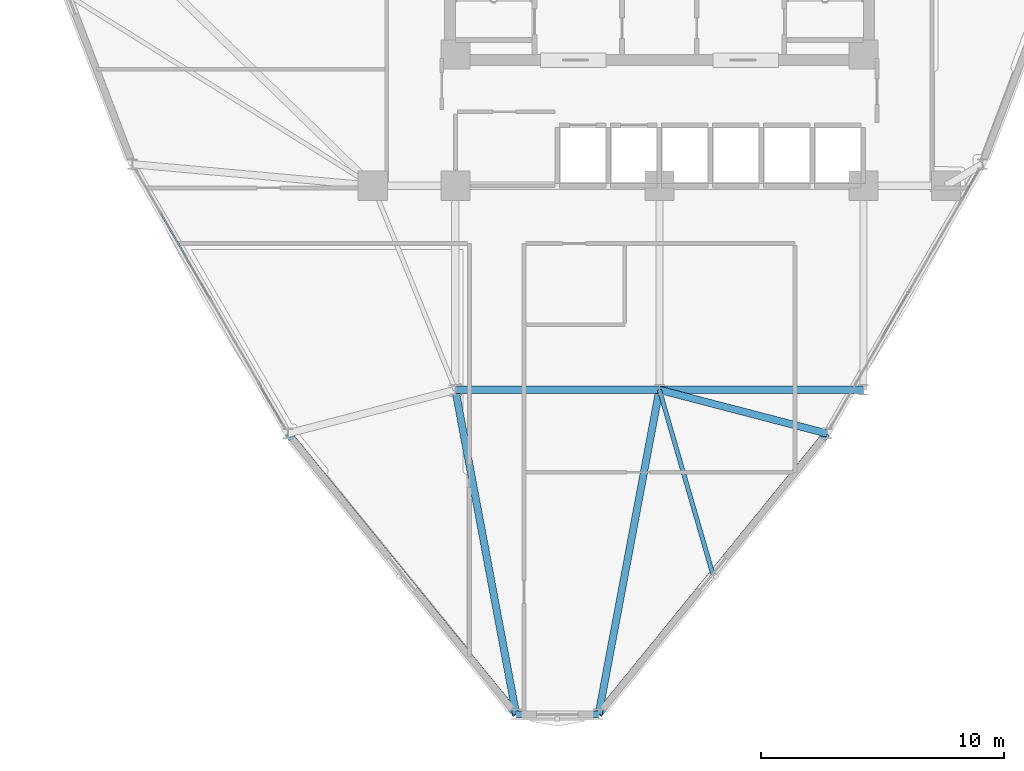
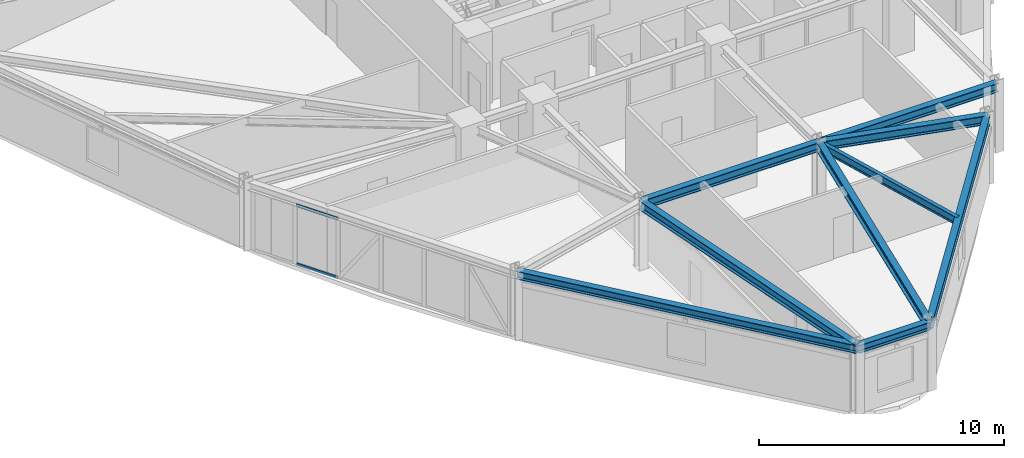
# One storey, part 3 of 15: 9 beams, 2 members, 1 element without a shape of its own.
"""IFC4 building model written with IfcOpenShell, lengths in metres."""

from ifc_helpers import new_model, si_unit, derived_unit, direction, frame, origin, origin_2d, place, context, subcontext, project, spatial, hollow_rectangle, i_section, extrude, source, transform, mapped, material, layer, layer_set, material_profile, profile_set, type_object, element, aggregate, save


model = new_model("IFC4")

# Units and contexts
model_context = context("Model", 3, precision=1e-05, world=origin(), true_north=direction((0.0, 1.0)))
body_context = subcontext(model_context, "Body", "Model", "MODEL_VIEW")
ifc_project = project(units=[si_unit("LENGTHUNIT", "METRE"), si_unit("AREAUNIT", "SQUARE_METRE"), si_unit("VOLUMEUNIT", "CUBIC_METRE"), si_unit("PLANEANGLEUNIT", "RADIAN"), si_unit("MASSUNIT", "GRAM", prefix="KILO"), derived_unit("THERMALTRANSMITTANCEUNIT", [(si_unit("POWERUNIT", "WATT"), 1), (si_unit("LENGTHUNIT", "METRE"), -2), (si_unit("THERMODYNAMICTEMPERATUREUNIT", "KELVIN"), -1)])], contexts=[model_context])

# Site, building, storey
site_placement = place(None, origin())
site = spatial("IfcSite", under=ifc_project, at=site_placement, CompositionType="ELEMENT")
building_placement = place(site_placement, origin())
building = spatial("IfcBuilding", under=site, at=building_placement, Name="Korsvarv Bourse and Concert Hall", CompositionType="ELEMENT")
storey_placement = place(building_placement, frame((0.0, 0.0, 157.800048828125)))
storey = spatial("IfcBuildingStorey", under=building, at=storey_placement, Name="L40", CompositionType="ELEMENT", Elevation=157.800048828125)

# Beams
ifc_material_1 = material(Name="Steel S355", Category="steel")
ifc_material_profile_1 = material_profile(ifc_material_1, i_section(OverallWidth=0.300048828125, OverallDepth=0.449951171875, WebThickness=0.013916015625, FlangeThickness=0.02587890625, FilletRadius=0.02099609375, at=origin_2d()), Name="HEB 450")
ifc_profile_set_1 = profile_set([ifc_material_profile_1], Name="Steel S355")
beam_type_1 = type_object("IfcBeamType", Name="BM-HEB450", PredefinedType="SPANDREL", material=ifc_profile_set_1)
shared_shape_1 = source(origin(), body_context, "Body", "SweptSolid", [
    extrude(i_section(OverallWidth=0.300048828125, OverallDepth=0.449951171875, WebThickness=0.013916015625, FlangeThickness=0.02587890625, FilletRadius=0.02099609375, at=origin_2d()), origin(), (0.0, 0.0, 1.0), 8.39990234375),
])
for number, where, z_axis, x_axis, name in (
    (1, (27.60009765625, 24.0, 3.175048828125), (1.0, 0.0, 0.0), (0.0, 1.0, 0.0), "L40 beam B-08"),
    (2, (36.0, 24.0, 3.175048828125), (1.0, 0.0, 0.0), (0.0, 1.0, 0.0), "L40 beam B-08"),
):
    element("IfcBeam", number, at=place(storey_placement, frame(where, z_axis=z_axis, x_axis=x_axis)), inside=storey, type_object=beam_type_1, Name=name, PredefinedType="SPANDREL", context=body_context, shape_type="MappedRepresentation", body=[
        mapped(shared_shape_1, transform((0.0, 0.0, 0.0), scale=1.0)),
    ])
ifc_material_profile_2 = material_profile(ifc_material_1, i_section(OverallWidth=0.300048828125, OverallDepth=0.39990234375, WebThickness=0.013427734375, FlangeThickness=0.02392578125, FilletRadius=0.02099609375, at=origin_2d()), Name="HEB 400")
ifc_profile_set_2 = profile_set([ifc_material_profile_2], Name="Steel S355")
beam_type_2 = type_object("IfcBeamType", Name="BM-HEB400", PredefinedType="SPANDREL", material=ifc_profile_set_2)
shared_shape_2 = source(origin(), body_context, "Body", "SweptSolid", [
    extrude(i_section(OverallWidth=0.300048828125, OverallDepth=0.39990234375, WebThickness=0.013427734375, FlangeThickness=0.02392578125, FilletRadius=0.02099609375, at=origin_2d()), origin(), (0.0, 0.0, 1.0), 3.391357421875),
])
beam_1_placement = place(storey_placement, frame((30.104248046875, 10.63525390625, 3.199951171875), z_axis=(1.0, 0.0, 0.0), x_axis=(0.0, 1.0, 0.0)))
element("IfcBeam", 3, at=beam_1_placement, inside=storey, type_object=beam_type_2, Name="L40 beam B-09", PredefinedType="SPANDREL", context=body_context, shape_type="MappedRepresentation", body=[
    mapped(shared_shape_2, transform((0.0, 0.0, 0.0), scale=1.0)),
])
shared_shape_3 = source(origin(), body_context, "Body", "SweptSolid", [
    extrude(i_section(OverallWidth=0.300048828125, OverallDepth=0.39990234375, WebThickness=0.013427734375, FlangeThickness=0.02392578125, FilletRadius=0.02099609375, at=origin_2d()), origin(), (0.0, 0.0, 1.0), 14.90478515625),
])
beam_2_placement = place(storey_placement, frame((33.49560546875, 10.63525390625, 3.199951171875), z_axis=(0.630647506251, 0.776069405955, 0.0), x_axis=(-0.776069405955, 0.630647506251, 0.0)))
element("IfcBeam", 4, at=beam_2_placement, inside=storey, type_object=beam_type_2, Name="L40 beam B-09", PredefinedType="SPANDREL", context=body_context, shape_type="MappedRepresentation", body=[
    mapped(shared_shape_3, transform((0.0, 0.0, 0.0), scale=1.0)),
])
shared_shape_4 = source(origin(), body_context, "Body", "SweptSolid", [
    extrude(i_section(OverallWidth=0.300048828125, OverallDepth=0.39990234375, WebThickness=0.013427734375, FlangeThickness=0.02392578125, FilletRadius=0.02099609375, at=origin_2d()), origin(), (0.0, 0.0, 1.0), 14.904541015625),
])
beam_3_placement = place(storey_placement, frame((20.704833984375, 22.202392578125, 3.199951171875), z_axis=(0.630637640673, -0.776077422791, 0.0), x_axis=(0.776077422791, 0.630637640673, 0.0)))
element("IfcBeam", 5, at=beam_3_placement, inside=storey, type_object=beam_type_2, Name="L40 beam B-09", PredefinedType="SPANDREL", context=body_context, shape_type="MappedRepresentation", body=[
    mapped(shared_shape_4, transform((0.0, 0.0, 0.0), scale=1.0)),
])
shared_shape_5 = source(origin(), body_context, "Body", "SweptSolid", [
    extrude(i_section(OverallWidth=0.300048828125, OverallDepth=0.449951171875, WebThickness=0.013916015625, FlangeThickness=0.02587890625, FilletRadius=0.02099609375, at=origin_2d()), origin(), (0.0, 0.0, 1.0), 7.125732421875),
])
beam_4_placement = place(storey_placement, frame((42.895263671875, 22.202392578125, 3.175048828125), z_axis=(-0.967656919283, 0.252269868522, 0.0), x_axis=(-0.252269868522, -0.967656919283, 0.0)))
element("IfcBeam", 6, at=beam_4_placement, inside=storey, type_object=beam_type_1, Name="L40 beam B-08", PredefinedType="SPANDREL", context=body_context, shape_type="MappedRepresentation", body=[
    mapped(shared_shape_5, transform((0.0, 0.0, 0.0), scale=1.0)),
])
shared_shape_6 = source(origin(), body_context, "Body", "SweptSolid", [
    extrude(i_section(OverallWidth=0.300048828125, OverallDepth=0.449951171875, WebThickness=0.013916015625, FlangeThickness=0.02587890625, FilletRadius=0.02099609375, at=origin_2d()), origin(), (0.0, 0.0, 1.0), 13.597412109375),
])
for number, where, z_axis, x_axis, name in (
    (7, (30.104248046875, 10.63525390625, 3.175048828125), (-0.184164948645, 0.982895351342, 0.0), (-0.982895351342, -0.184164948645, 0.0), "L40 beam B-08"),
    (8, (33.49560546875, 10.63525390625, 3.175048828125), (0.184182294632, 0.982892101069, 0.0), (-0.982892101069, 0.184182294632, 0.0), "L40 beam B-08"),
):
    element("IfcBeam", number, at=place(storey_placement, frame(where, z_axis=z_axis, x_axis=x_axis)), inside=storey, type_object=beam_type_1, Name=name, PredefinedType="SPANDREL", context=body_context, shape_type="MappedRepresentation", body=[
        mapped(shared_shape_6, transform((0.0, 0.0, 0.0), scale=1.0)),
    ])
ifc_material_profile_3 = material_profile(ifc_material_1, i_section(OverallWidth=0.179931640625, OverallDepth=0.39990234375, WebThickness=0.008544921875, FlangeThickness=0.013427734375, FilletRadius=0.02099609375, at=origin_2d()), Name="IPE 400")
ifc_profile_set_3 = profile_set([ifc_material_profile_3], Name="Steel S355")
beam_type_3 = type_object("IfcBeamType", Name="BM-IPE400", PredefinedType="JOIST", material=ifc_profile_set_3)
shared_shape_7 = source(origin(), body_context, "Body", "SweptSolid", [
    extrude(i_section(OverallWidth=0.179931640625, OverallDepth=0.39990234375, WebThickness=0.008544921875, FlangeThickness=0.013427734375, FilletRadius=0.02099609375, at=origin_2d()), origin(), (0.0, 0.0, 1.0), 7.892822265625),
])
beam_5_placement = place(storey_placement, frame((38.195556640625, 16.418701171875, 3.199951171875), z_axis=(-0.278171485352, 0.960531428292, 0.0), x_axis=(-0.960531428292, -0.278171485352, 0.0)))
element("IfcBeam", 9, at=beam_5_placement, inside=storey, type_object=beam_type_3, Name="L40 beam J-05", PredefinedType="JOIST", context=body_context, shape_type="MappedRepresentation", body=[
    mapped(shared_shape_7, transform((0.0, 0.0, 0.0), scale=1.0)),
])

# Curtain wall, members
ifc_material_2 = material(Name="Anodised aluminium and triple low-E glazing", Category="glass")
ifc_layer = layer(ifc_material_2, 0.2099609375)
ifc_layer_set = layer_set([ifc_layer], Name="Anodised aluminium and triple low-E glazing")
curtain_wall_type = type_object("IfcCurtainWallType", Name="CW-SYS-2", PredefinedType="NOTDEFINED", material=ifc_layer_set)
curtain_wall_placement = place(storey_placement, origin())
curtain_wall = element("IfcCurtainWall", 10, at=curtain_wall_placement, inside=storey, type_object=curtain_wall_type, Name="L40 CW2 curtain wall CW-L40-F07", PredefinedType="NOTDEFINED")
ifc_material_3 = material(Name="Extruded aluminium EN AW-6063 T66", Category="aluminium")
ifc_material_profile_4 = material_profile(ifc_material_3, hollow_rectangle(XDim=0.06494140625, YDim=0.139892578125, WallThickness=0.00390625, at=origin_2d()), Name="ALU-T 65x140")
ifc_profile_set_4 = profile_set([ifc_material_profile_4], Name="Extruded aluminium EN AW-6063 T66")
member_type = type_object("IfcMemberType", Name="CWT-140", PredefinedType="USERDEFINED", material=ifc_profile_set_4)
shared_shape_8 = source(origin(), body_context, "Body", "SweptSolid", [
    extrude(hollow_rectangle(XDim=0.06494140625, YDim=0.139892578125, WallThickness=0.00390625, at=origin_2d()), origin(), (0.0, 0.0, 1.0), 1.960693359375),
])
member_1_placement = place(storey_placement, frame((15.49072265625, 31.2333984375, 0.032470703125), z_axis=(0.500049388818, -0.865996887259, 0.0), x_axis=(0.865996887259, 0.500049388818, 0.0)))
member_1 = element("IfcMember", 11, at=member_1_placement, type_object=member_type, Name="CW2 transom 2.1", ObjectType="TRANSOM", PredefinedType="USERDEFINED", context=body_context, shape_type="MappedRepresentation", body=[
    mapped(shared_shape_8, transform((0.0, 0.0, 0.0), scale=1.0)),
])
member_2_placement = place(storey_placement, frame((15.49072265625, 31.2333984375, 2.967529296875), z_axis=(0.500049388818, -0.865996887259, 0.0), x_axis=(0.865996887259, 0.500049388818, 0.0)))
member_2 = element("IfcMember", 12, at=member_2_placement, type_object=member_type, Name="CW2 transom 2.2", ObjectType="TRANSOM", PredefinedType="USERDEFINED", context=body_context, shape_type="MappedRepresentation", body=[
    mapped(shared_shape_8, transform((0.0, 0.0, 0.0), scale=1.0)),
])
aggregate(curtain_wall, [member_1, member_2])

save(model, "model.ifc")
